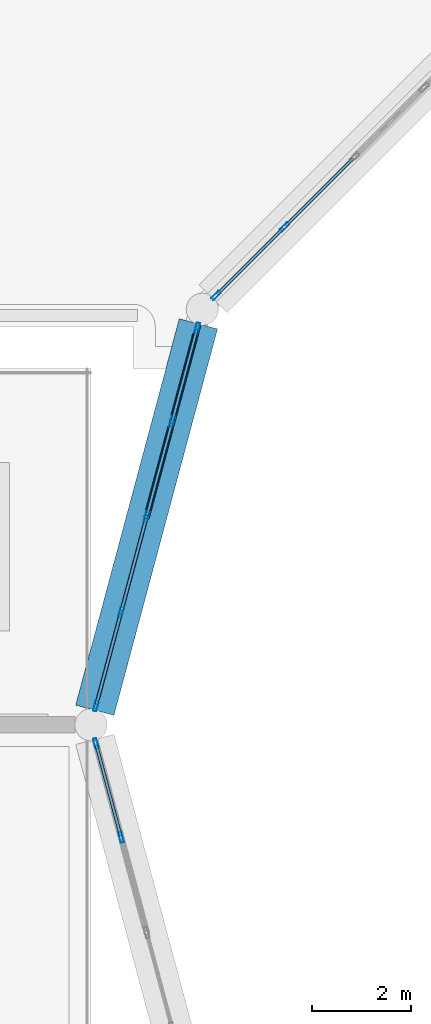
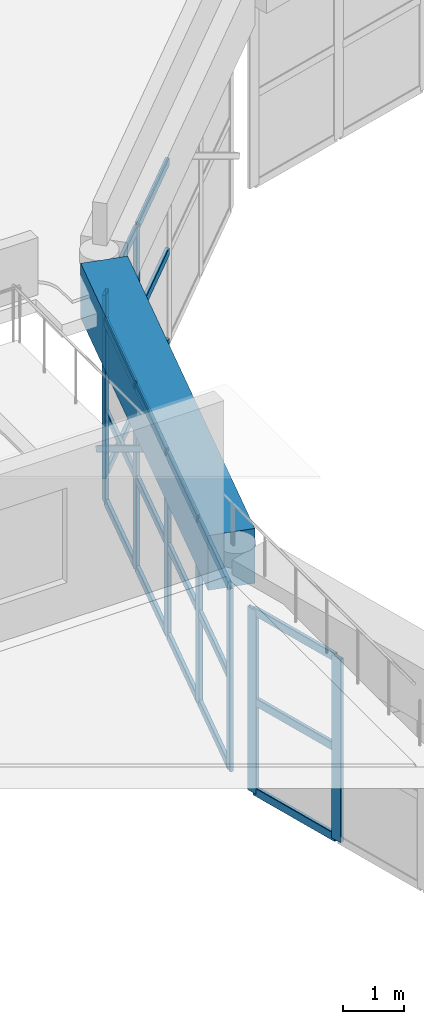
# One storey, part 17 of 48: 31 members, 1 beam, 3 elements without a shape of their own.
"""IFC4 building model written with IfcOpenShell, lengths in metres."""

from ifc_helpers import new_model, si_unit, derived_unit, direction, frame, origin, origin_2d, place, context, subcontext, project, spatial, rectangle, hollow_rectangle, extrude, material, material_profile, profile_set, type_object, element, aggregate, save


model = new_model("IFC4")

# Units and contexts
model_context = context("Model", 3, precision=1e-05, world=origin(), true_north=direction((0.0, 1.0)))
body_context = subcontext(model_context, "Body", "Model", "MODEL_VIEW")
ifc_project = project(units=[si_unit("LENGTHUNIT", "METRE"), si_unit("AREAUNIT", "SQUARE_METRE"), si_unit("VOLUMEUNIT", "CUBIC_METRE"), si_unit("PLANEANGLEUNIT", "RADIAN"), si_unit("MASSUNIT", "GRAM", prefix="KILO"), derived_unit("THERMALTRANSMITTANCEUNIT", [(si_unit("POWERUNIT", "WATT"), 1), (si_unit("LENGTHUNIT", "METRE"), -2), (si_unit("THERMODYNAMICTEMPERATUREUNIT", "KELVIN"), -1)])], contexts=[model_context])

# Site, building, storey
site_placement = place(None, origin())
site = spatial("IfcSite", under=ifc_project, at=site_placement, CompositionType="ELEMENT")
building_placement = place(site_placement, origin())
building = spatial("IfcBuilding", under=site, at=building_placement, Name="Veybourne Emporium", CompositionType="ELEMENT")
storey_placement = place(building_placement, frame((0.0, 0.0, 27.89990234375)))
storey = spatial("IfcBuildingStorey", under=building, at=storey_placement, Name="L06", CompositionType="ELEMENT", Elevation=27.89990234375)

# Curtain wall, members
ifc_material_1 = material(Name="Patinated Architectural Bronze", Category="bronze")
curtain_wall_type_1 = type_object("IfcCurtainWallType", Name="CWSystem_CWS-25", PredefinedType="NOTDEFINED", material=ifc_material_1)
curtain_wall_1_placement = place(storey_placement, origin())
curtain_wall_1 = element("IfcCurtainWall", 1, at=curtain_wall_1_placement, inside=storey, type_object=curtain_wall_type_1, Name="Atrium drum clerestory curtain wall 05", PredefinedType="NOTDEFINED")
ifc_material_profile_1 = material_profile(ifc_material_1, hollow_rectangle(XDim=0.070068359375, YDim=0.219970703125, WallThickness=0.0048828125, InnerFilletRadius=0.007568359375, OuterFilletRadius=0.012451171875, at=origin_2d()), Name="CWM 70x220x5")
ifc_profile_set_1 = profile_set([ifc_material_profile_1], Name="Patinated Architectural Bronze")
member_type_1 = type_object("IfcMemberType", Name="CWMullion_CW-M4", PredefinedType="MULLION", material=ifc_profile_set_1)
member_1_placement = place(storey_placement, frame((62.71533203125, 60.464599609375, -4.5), z_axis=(0.0, 0.0, 1.0), x_axis=(0.707106781187, -0.707106781187, 0.0)))
member_1 = element("IfcMember", 2, at=member_1_placement, type_object=member_type_1, Name="CWS-25 mullion 4", PredefinedType="MULLION", context=body_context, shape_type="SweptSolid", body=[
    extrude(hollow_rectangle(XDim=0.070068359375, YDim=0.219970703125, WallThickness=0.0048828125, InnerFilletRadius=0.007568359375, OuterFilletRadius=0.012451171875, at=origin_2d()), origin(), (0.0, 0.0, 1.0), 3.68017578125),
])
member_2_placement = place(storey_placement, frame((61.330078125, 59.079345703125, -4.5), z_axis=(0.0, 0.0, 1.0), x_axis=(0.707106781187, -0.707106781187, 0.0)))
member_2 = element("IfcMember", 3, at=member_2_placement, type_object=member_type_1, Name="CWS-25 mullion 5", PredefinedType="MULLION", context=body_context, shape_type="SweptSolid", body=[
    extrude(hollow_rectangle(XDim=0.070068359375, YDim=0.219970703125, WallThickness=0.0048828125, InnerFilletRadius=0.007568359375, OuterFilletRadius=0.012451171875, at=origin_2d()), origin(), (0.0, 0.0, 1.0), 3.68017578125),
])

curtain_wall_type_2 = type_object("IfcCurtainWallType", Name="CWSystem_CWS-26", PredefinedType="NOTDEFINED", material=ifc_material_1)
curtain_wall_2_placement = place(storey_placement, origin())
curtain_wall_2 = element("IfcCurtainWall", 4, at=curtain_wall_2_placement, inside=storey, type_object=curtain_wall_type_2, Name="Atrium drum clerestory curtain wall 06", PredefinedType="NOTDEFINED")
member_3_placement = place(storey_placement, frame((60.948486328125, 58.41845703125, -4.5), z_axis=(0.0, 0.0, 1.0), x_axis=(0.965925678069, -0.258819598266, 0.0)))
member_3 = element("IfcMember", 5, at=member_3_placement, type_object=member_type_1, Name="CWS-26 mullion 1", PredefinedType="MULLION", context=body_context, shape_type="SweptSolid", body=[
    extrude(hollow_rectangle(XDim=0.070068359375, YDim=0.219970703125, WallThickness=0.0048828125, InnerFilletRadius=0.007568359375, OuterFilletRadius=0.012451171875, at=origin_2d()), origin(), (0.0, 0.0, 1.0), 3.68017578125),
])
member_4_placement = place(storey_placement, frame((60.44140625, 56.526123046875, -4.5), z_axis=(0.0, 0.0, 1.0), x_axis=(0.965925678069, -0.258819598266, 0.0)))
member_4 = element("IfcMember", 6, at=member_4_placement, type_object=member_type_1, Name="CWS-26 mullion 2", PredefinedType="MULLION", context=body_context, shape_type="SweptSolid", body=[
    extrude(hollow_rectangle(XDim=0.070068359375, YDim=0.219970703125, WallThickness=0.0048828125, InnerFilletRadius=0.007568359375, OuterFilletRadius=0.012451171875, at=origin_2d()), origin(), (0.0, 0.0, 1.0), 3.68017578125),
])
member_5_placement = place(storey_placement, frame((59.92529296875, 54.60009765625, -4.5), z_axis=(0.0, 0.0, 1.0), x_axis=(0.965925678069, -0.258819598266, 0.0)))
member_5 = element("IfcMember", 7, at=member_5_placement, type_object=member_type_1, Name="CWS-26 mullion 3", PredefinedType="MULLION", context=body_context, shape_type="SweptSolid", body=[
    extrude(hollow_rectangle(XDim=0.070068359375, YDim=0.219970703125, WallThickness=0.0048828125, InnerFilletRadius=0.007568359375, OuterFilletRadius=0.012451171875, at=origin_2d()), origin(), (0.0, 0.0, 1.0), 3.68017578125),
])
member_6_placement = place(storey_placement, frame((59.4091796875, 52.673828125, -4.5), z_axis=(0.0, 0.0, 1.0), x_axis=(0.965925678069, -0.258819598266, 0.0)))
member_6 = element("IfcMember", 8, at=member_6_placement, type_object=member_type_1, Name="CWS-26 mullion 4", PredefinedType="MULLION", context=body_context, shape_type="SweptSolid", body=[
    extrude(hollow_rectangle(XDim=0.070068359375, YDim=0.219970703125, WallThickness=0.0048828125, InnerFilletRadius=0.007568359375, OuterFilletRadius=0.012451171875, at=origin_2d()), origin(), (0.0, 0.0, 1.0), 3.68017578125),
])
member_7_placement = place(storey_placement, frame((58.90234375, 50.781494140625, -4.5), z_axis=(0.0, 0.0, 1.0), x_axis=(0.965925678069, -0.258819598266, 0.0)))
member_7 = element("IfcMember", 9, at=member_7_placement, type_object=member_type_1, Name="CWS-26 mullion 5", PredefinedType="MULLION", context=body_context, shape_type="SweptSolid", body=[
    extrude(hollow_rectangle(XDim=0.070068359375, YDim=0.219970703125, WallThickness=0.0048828125, InnerFilletRadius=0.007568359375, OuterFilletRadius=0.012451171875, at=origin_2d()), origin(), (0.0, 0.0, 1.0), 3.68017578125),
])

curtain_wall_type_3 = type_object("IfcCurtainWallType", Name="CWSystem_CWS-27", PredefinedType="NOTDEFINED", material=ifc_material_1)
curtain_wall_3_placement = place(storey_placement, origin())
curtain_wall_3 = element("IfcCurtainWall", 10, at=curtain_wall_3_placement, inside=storey, type_object=curtain_wall_type_3, Name="Atrium drum clerestory curtain wall 07", PredefinedType="NOTDEFINED")
member_8_placement = place(storey_placement, frame((58.90234375, 50.0185546875, -4.5), z_axis=(0.0, 0.0, 1.0), x_axis=(0.965925678069, 0.258819598266, 0.0)))
member_8 = element("IfcMember", 11, at=member_8_placement, type_object=member_type_1, Name="CWS-27 mullion 1", PredefinedType="MULLION", context=body_context, shape_type="SweptSolid", body=[
    extrude(hollow_rectangle(XDim=0.070068359375, YDim=0.219970703125, WallThickness=0.0048828125, InnerFilletRadius=0.007568359375, OuterFilletRadius=0.012451171875, at=origin_2d()), origin(), (0.0, 0.0, 1.0), 3.68017578125),
])
member_9_placement = place(storey_placement, frame((59.4091796875, 48.126220703125, -4.5), z_axis=(0.0, 0.0, 1.0), x_axis=(0.965925678069, 0.258819598266, 0.0)))
member_9 = element("IfcMember", 12, at=member_9_placement, type_object=member_type_1, Name="CWS-27 mullion 2", PredefinedType="MULLION", context=body_context, shape_type="SweptSolid", body=[
    extrude(hollow_rectangle(XDim=0.070068359375, YDim=0.219970703125, WallThickness=0.0048828125, InnerFilletRadius=0.007568359375, OuterFilletRadius=0.012451171875, at=origin_2d()), origin(), (0.0, 0.0, 1.0), 3.68017578125),
])

# Member
ifc_material_profile_2 = material_profile(ifc_material_1, hollow_rectangle(XDim=0.070068359375, YDim=0.169921875, WallThickness=0.0048828125, InnerFilletRadius=0.007568359375, OuterFilletRadius=0.012451171875, at=origin_2d()), Name="CWT 70x170x5")
ifc_profile_set_2 = profile_set([ifc_material_profile_2], Name="Patinated Architectural Bronze")
member_type_2 = type_object("IfcMemberType", Name="CWTransom_CW-T4", PredefinedType="NOTDEFINED", material=ifc_profile_set_2)
member_10_placement = place(storey_placement, frame((64.1005859375, 61.849853515625, -4.46484375), z_axis=(-0.707106781187, -0.707106781187, 0.0), x_axis=(0.707106781187, -0.707106781187, 0.0)))
member_10 = element("IfcMember", 13, at=member_10_placement, type_object=member_type_2, Name="CWS-25 transom 3.1", ObjectType="TRANSOM", PredefinedType="USERDEFINED", context=body_context, shape_type="SweptSolid", body=[
    extrude(hollow_rectangle(XDim=0.070068359375, YDim=0.169921875, WallThickness=0.0048828125, InnerFilletRadius=0.007568359375, OuterFilletRadius=0.012451171875, at=origin_2d()), origin(), (0.0, 0.0, 1.0), 1.924072265625),
])

member_11_placement = place(storey_placement, frame((64.1005859375, 61.849853515625, -2.659912109375), z_axis=(-0.707106781187, -0.707106781187, 0.0), x_axis=(0.707106781187, -0.707106781187, 0.0)))
member_11 = element("IfcMember", 14, at=member_11_placement, type_object=member_type_2, Name="CWS-25 transom 3.2", ObjectType="TRANSOM", PredefinedType="USERDEFINED", context=body_context, shape_type="SweptSolid", body=[
    extrude(hollow_rectangle(XDim=0.070068359375, YDim=0.169921875, WallThickness=0.0048828125, InnerFilletRadius=0.007568359375, OuterFilletRadius=0.012451171875, at=origin_2d()), origin(), (0.0, 0.0, 1.0), 1.924072265625),
])

member_12_placement = place(storey_placement, frame((64.1005859375, 61.849853515625, -0.85498046875), z_axis=(-0.707106781187, -0.707106781187, 0.0), x_axis=(0.707106781187, -0.707106781187, 0.0)))
member_12 = element("IfcMember", 15, at=member_12_placement, type_object=member_type_2, Name="CWS-25 transom 3.3", ObjectType="TRANSOM", PredefinedType="USERDEFINED", context=body_context, shape_type="SweptSolid", body=[
    extrude(hollow_rectangle(XDim=0.070068359375, YDim=0.169921875, WallThickness=0.0048828125, InnerFilletRadius=0.007568359375, OuterFilletRadius=0.012451171875, at=origin_2d()), origin(), (0.0, 0.0, 1.0), 1.924072265625),
])

member_13_placement = place(storey_placement, frame((62.690673828125, 60.43994140625, -4.46484375), z_axis=(-0.707106781187, -0.707106781187, 0.0), x_axis=(0.707106781187, -0.707106781187, 0.0)))
member_13 = element("IfcMember", 16, at=member_13_placement, type_object=member_type_2, Name="CWS-25 transom 4.1", ObjectType="TRANSOM", PredefinedType="USERDEFINED", context=body_context, shape_type="SweptSolid", body=[
    extrude(hollow_rectangle(XDim=0.070068359375, YDim=0.169921875, WallThickness=0.0048828125, InnerFilletRadius=0.007568359375, OuterFilletRadius=0.012451171875, at=origin_2d()), origin(), (0.0, 0.0, 1.0), 1.889404296875),
])

member_14_placement = place(storey_placement, frame((62.690673828125, 60.43994140625, -2.659912109375), z_axis=(-0.707106781187, -0.707106781187, 0.0), x_axis=(0.707106781187, -0.707106781187, 0.0)))
member_14 = element("IfcMember", 17, at=member_14_placement, type_object=member_type_2, Name="CWS-25 transom 4.2", ObjectType="TRANSOM", PredefinedType="USERDEFINED", context=body_context, shape_type="SweptSolid", body=[
    extrude(hollow_rectangle(XDim=0.070068359375, YDim=0.169921875, WallThickness=0.0048828125, InnerFilletRadius=0.007568359375, OuterFilletRadius=0.012451171875, at=origin_2d()), origin(), (0.0, 0.0, 1.0), 1.889404296875),
])

member_15_placement = place(storey_placement, frame((62.690673828125, 60.43994140625, -0.85498046875), z_axis=(-0.707106781187, -0.707106781187, 0.0), x_axis=(0.707106781187, -0.707106781187, 0.0)))
member_15 = element("IfcMember", 18, at=member_15_placement, type_object=member_type_2, Name="CWS-25 transom 4.3", ObjectType="TRANSOM", PredefinedType="USERDEFINED", context=body_context, shape_type="SweptSolid", body=[
    extrude(hollow_rectangle(XDim=0.070068359375, YDim=0.169921875, WallThickness=0.0048828125, InnerFilletRadius=0.007568359375, OuterFilletRadius=0.012451171875, at=origin_2d()), origin(), (0.0, 0.0, 1.0), 1.889404296875),
])

aggregate(curtain_wall_1, [member_1, member_2, member_10, member_11, member_12, member_13, member_14, member_15])

member_16_placement = place(storey_placement, frame((60.939453125, 58.384765625, -4.46484375), z_axis=(-0.258860974636, -0.965914590329, 0.0), x_axis=(0.965914590329, -0.258860974636, 0.0)))
member_16 = element("IfcMember", 19, at=member_16_placement, type_object=member_type_2, Name="CWS-26 transom 1.1", ObjectType="TRANSOM", PredefinedType="USERDEFINED", context=body_context, shape_type="SweptSolid", body=[
    extrude(hollow_rectangle(XDim=0.070068359375, YDim=0.169921875, WallThickness=0.0048828125, InnerFilletRadius=0.007568359375, OuterFilletRadius=0.012451171875, at=origin_2d()), origin(), (0.0, 0.0, 1.0), 1.88916015625),
])

member_17_placement = place(storey_placement, frame((60.939453125, 58.384765625, -2.659912109375), z_axis=(-0.258860974636, -0.965914590329, 0.0), x_axis=(0.965914590329, -0.258860974636, 0.0)))
member_17 = element("IfcMember", 20, at=member_17_placement, type_object=member_type_2, Name="CWS-26 transom 1.2", ObjectType="TRANSOM", PredefinedType="USERDEFINED", context=body_context, shape_type="SweptSolid", body=[
    extrude(hollow_rectangle(XDim=0.070068359375, YDim=0.169921875, WallThickness=0.0048828125, InnerFilletRadius=0.007568359375, OuterFilletRadius=0.012451171875, at=origin_2d()), origin(), (0.0, 0.0, 1.0), 1.88916015625),
])

member_18_placement = place(storey_placement, frame((60.939453125, 58.384765625, -0.85498046875), z_axis=(-0.258860974636, -0.965914590329, 0.0), x_axis=(0.965914590329, -0.258860974636, 0.0)))
member_18 = element("IfcMember", 21, at=member_18_placement, type_object=member_type_2, Name="CWS-26 transom 1.3", ObjectType="TRANSOM", PredefinedType="USERDEFINED", context=body_context, shape_type="SweptSolid", body=[
    extrude(hollow_rectangle(XDim=0.070068359375, YDim=0.169921875, WallThickness=0.0048828125, InnerFilletRadius=0.007568359375, OuterFilletRadius=0.012451171875, at=origin_2d()), origin(), (0.0, 0.0, 1.0), 1.88916015625),
])

member_19_placement = place(storey_placement, frame((60.432373046875, 56.492431640625, -4.46484375), z_axis=(-0.258831214191, -0.965922565509, 0.0), x_axis=(0.965922565509, -0.258831214191, 0.0)))
member_19 = element("IfcMember", 22, at=member_19_placement, type_object=member_type_2, Name="CWS-26 transom 2.1", ObjectType="TRANSOM", PredefinedType="USERDEFINED", context=body_context, shape_type="SweptSolid", body=[
    extrude(hollow_rectangle(XDim=0.070068359375, YDim=0.169921875, WallThickness=0.0048828125, InnerFilletRadius=0.007568359375, OuterFilletRadius=0.012451171875, at=origin_2d()), origin(), (0.0, 0.0, 1.0), 1.92431640625),
])

member_20_placement = place(storey_placement, frame((60.432373046875, 56.492431640625, -2.659912109375), z_axis=(-0.258831214191, -0.965922565509, 0.0), x_axis=(0.965922565509, -0.258831214191, 0.0)))
member_20 = element("IfcMember", 23, at=member_20_placement, type_object=member_type_2, Name="CWS-26 transom 2.2", ObjectType="TRANSOM", PredefinedType="USERDEFINED", context=body_context, shape_type="SweptSolid", body=[
    extrude(hollow_rectangle(XDim=0.070068359375, YDim=0.169921875, WallThickness=0.0048828125, InnerFilletRadius=0.007568359375, OuterFilletRadius=0.012451171875, at=origin_2d()), origin(), (0.0, 0.0, 1.0), 1.92431640625),
])

member_21_placement = place(storey_placement, frame((60.432373046875, 56.492431640625, -0.85498046875), z_axis=(-0.258831214191, -0.965922565509, 0.0), x_axis=(0.965922565509, -0.258831214191, 0.0)))
member_21 = element("IfcMember", 24, at=member_21_placement, type_object=member_type_2, Name="CWS-26 transom 2.3", ObjectType="TRANSOM", PredefinedType="USERDEFINED", context=body_context, shape_type="SweptSolid", body=[
    extrude(hollow_rectangle(XDim=0.070068359375, YDim=0.169921875, WallThickness=0.0048828125, InnerFilletRadius=0.007568359375, OuterFilletRadius=0.012451171875, at=origin_2d()), origin(), (0.0, 0.0, 1.0), 1.92431640625),
])

member_22_placement = place(storey_placement, frame((59.916259765625, 54.566162109375, -4.46484375), z_axis=(-0.258744542548, -0.965945786109, 0.0), x_axis=(0.965945786109, -0.258744542548, 0.0)))
member_22 = element("IfcMember", 25, at=member_22_placement, type_object=member_type_2, Name="CWS-26 transom 3.1", ObjectType="TRANSOM", PredefinedType="USERDEFINED", context=body_context, shape_type="SweptSolid", body=[
    extrude(hollow_rectangle(XDim=0.070068359375, YDim=0.169921875, WallThickness=0.0048828125, InnerFilletRadius=0.007568359375, OuterFilletRadius=0.012451171875, at=origin_2d()), origin(), (0.0, 0.0, 1.0), 1.923828125),
])

member_23_placement = place(storey_placement, frame((59.916259765625, 54.566162109375, -2.659912109375), z_axis=(-0.258744542548, -0.965945786109, 0.0), x_axis=(0.965945786109, -0.258744542548, 0.0)))
member_23 = element("IfcMember", 26, at=member_23_placement, type_object=member_type_2, Name="CWS-26 transom 3.2", ObjectType="TRANSOM", PredefinedType="USERDEFINED", context=body_context, shape_type="SweptSolid", body=[
    extrude(hollow_rectangle(XDim=0.070068359375, YDim=0.169921875, WallThickness=0.0048828125, InnerFilletRadius=0.007568359375, OuterFilletRadius=0.012451171875, at=origin_2d()), origin(), (0.0, 0.0, 1.0), 1.923828125),
])

member_24_placement = place(storey_placement, frame((59.916259765625, 54.566162109375, -0.85498046875), z_axis=(-0.258744542548, -0.965945786109, 0.0), x_axis=(0.965945786109, -0.258744542548, 0.0)))
member_24 = element("IfcMember", 27, at=member_24_placement, type_object=member_type_2, Name="CWS-26 transom 3.3", ObjectType="TRANSOM", PredefinedType="USERDEFINED", context=body_context, shape_type="SweptSolid", body=[
    extrude(hollow_rectangle(XDim=0.070068359375, YDim=0.169921875, WallThickness=0.0048828125, InnerFilletRadius=0.007568359375, OuterFilletRadius=0.012451171875, at=origin_2d()), origin(), (0.0, 0.0, 1.0), 1.923828125),
])

member_25_placement = place(storey_placement, frame((59.400146484375, 52.64013671875, -4.46484375), z_axis=(-0.258740391972, -0.9659468979, 0.0), x_axis=(0.9659468979, -0.258740391972, 0.0)))
member_25 = element("IfcMember", 28, at=member_25_placement, type_object=member_type_2, Name="CWS-26 transom 4.1", ObjectType="TRANSOM", PredefinedType="USERDEFINED", context=body_context, shape_type="SweptSolid", body=[
    extrude(hollow_rectangle(XDim=0.070068359375, YDim=0.169921875, WallThickness=0.0048828125, InnerFilletRadius=0.007568359375, OuterFilletRadius=0.012451171875, at=origin_2d()), origin(), (0.0, 0.0, 1.0), 1.888916015625),
])

member_26_placement = place(storey_placement, frame((59.400146484375, 52.64013671875, -2.659912109375), z_axis=(-0.258740391972, -0.9659468979, 0.0), x_axis=(0.9659468979, -0.258740391972, 0.0)))
member_26 = element("IfcMember", 29, at=member_26_placement, type_object=member_type_2, Name="CWS-26 transom 4.2", ObjectType="TRANSOM", PredefinedType="USERDEFINED", context=body_context, shape_type="SweptSolid", body=[
    extrude(hollow_rectangle(XDim=0.070068359375, YDim=0.169921875, WallThickness=0.0048828125, InnerFilletRadius=0.007568359375, OuterFilletRadius=0.012451171875, at=origin_2d()), origin(), (0.0, 0.0, 1.0), 1.888916015625),
])

member_27_placement = place(storey_placement, frame((59.400146484375, 52.64013671875, -0.85498046875), z_axis=(-0.258740391972, -0.9659468979, 0.0), x_axis=(0.9659468979, -0.258740391972, 0.0)))
member_27 = element("IfcMember", 30, at=member_27_placement, type_object=member_type_2, Name="CWS-26 transom 4.3", ObjectType="TRANSOM", PredefinedType="USERDEFINED", context=body_context, shape_type="SweptSolid", body=[
    extrude(hollow_rectangle(XDim=0.070068359375, YDim=0.169921875, WallThickness=0.0048828125, InnerFilletRadius=0.007568359375, OuterFilletRadius=0.012451171875, at=origin_2d()), origin(), (0.0, 0.0, 1.0), 1.888916015625),
])

aggregate(curtain_wall_2, [member_3, member_4, member_5, member_6, member_7, member_16, member_17, member_18, member_19, member_20, member_21, member_22, member_23, member_24, member_25, member_26, member_27])

member_28_placement = place(storey_placement, frame((58.911376953125, 49.984619140625, -4.46484375), z_axis=(0.258740391972, -0.9659468979, 0.0), x_axis=(0.9659468979, 0.258740391972, 0.0)))
member_28 = element("IfcMember", 31, at=member_28_placement, type_object=member_type_2, Name="CWS-27 transom 1.1", ObjectType="TRANSOM", PredefinedType="USERDEFINED", context=body_context, shape_type="SweptSolid", body=[
    extrude(hollow_rectangle(XDim=0.070068359375, YDim=0.169921875, WallThickness=0.0048828125, InnerFilletRadius=0.007568359375, OuterFilletRadius=0.012451171875, at=origin_2d()), origin(), (0.0, 0.0, 1.0), 1.888916015625),
])

member_29_placement = place(storey_placement, frame((58.911376953125, 49.984619140625, -2.659912109375), z_axis=(0.258740391972, -0.9659468979, 0.0), x_axis=(0.9659468979, 0.258740391972, 0.0)))
member_29 = element("IfcMember", 32, at=member_29_placement, type_object=member_type_2, Name="CWS-27 transom 1.2", ObjectType="TRANSOM", PredefinedType="USERDEFINED", context=body_context, shape_type="SweptSolid", body=[
    extrude(hollow_rectangle(XDim=0.070068359375, YDim=0.169921875, WallThickness=0.0048828125, InnerFilletRadius=0.007568359375, OuterFilletRadius=0.012451171875, at=origin_2d()), origin(), (0.0, 0.0, 1.0), 1.888916015625),
])

member_30_placement = place(storey_placement, frame((58.911376953125, 49.984619140625, -0.85498046875), z_axis=(0.258740391972, -0.9659468979, 0.0), x_axis=(0.9659468979, 0.258740391972, 0.0)))
member_30 = element("IfcMember", 33, at=member_30_placement, type_object=member_type_2, Name="CWS-27 transom 1.3", ObjectType="TRANSOM", PredefinedType="USERDEFINED", context=body_context, shape_type="SweptSolid", body=[
    extrude(hollow_rectangle(XDim=0.070068359375, YDim=0.169921875, WallThickness=0.0048828125, InnerFilletRadius=0.007568359375, OuterFilletRadius=0.012451171875, at=origin_2d()), origin(), (0.0, 0.0, 1.0), 1.888916015625),
])

aggregate(curtain_wall_3, [member_8, member_9, member_28, member_29, member_30])

# Beam
ifc_material_2 = material(Name="Concrete C40/50", Category="concrete")
ifc_material_profile_3 = material_profile(ifc_material_2, rectangle(XDim=0.800048828125, YDim=1.10009765625, at=origin_2d()), Name="RC 800x1100")
ifc_profile_set_3 = profile_set([ifc_material_profile_3], Name="Concrete C40/50")
beam_type = type_object("IfcBeamType", Name="RCBeam_RB-01", PredefinedType="BEAM", material=ifc_profile_set_3)
beam_placement = place(storey_placement, frame((60.971923828125, 58.50537109375, -0.25), z_axis=(-0.258833171555, -0.965922041007, 0.0), x_axis=(0.965922041007, -0.258833171555, 0.0)))
element("IfcBeam", 34, at=beam_placement, inside=storey, type_object=beam_type, Name="Atrium ring beam RB-01 L06-06", PredefinedType="BEAM", context=body_context, shape_type="SweptSolid", body=[
    extrude(rectangle(XDim=0.800048828125, YDim=1.10009765625, at=origin_2d()), origin(), (0.0, 0.0, 1.0), 8.08642578125),
])

# Member
ifc_material_3 = material(Name="Steel S355", Category="steel")
ifc_material_profile_4 = material_profile(ifc_material_3, hollow_rectangle(XDim=0.1201171875, YDim=0.1201171875, WallThickness=0.00634765625, InnerFilletRadius=0.009521484375, OuterFilletRadius=0.015869140625, at=origin_2d()), Name="SHS 120x120x6.3")
ifc_profile_set_4 = profile_set([ifc_material_profile_4], Name="Steel S355")
member_type_3 = type_object("IfcMemberType", Name="SteelMem_CS-02", PredefinedType="STRUT", material=ifc_profile_set_4)
member_31_placement = place(storey_placement, frame((61.05078125, 58.800048828125, -3.699951171875), z_axis=(-0.214199952413, -0.799323596826, 0.561426903473), x_axis=(0.965919227952, -0.258843669177, 0.0)))
element("IfcMember", 35, at=member_31_placement, inside=storey, type_object=member_type_3, Name="Drum clerestory diagonal strut 06", PredefinedType="STRUT", context=body_context, shape_type="SweptSolid", body=[
    extrude(hollow_rectangle(XDim=0.1201171875, YDim=0.1201171875, WallThickness=0.00634765625, InnerFilletRadius=0.009521484375, OuterFilletRadius=0.015869140625, at=origin_2d()), origin(), (0.0, 0.0, 1.0), 5.25439453125),
])

save(model, "model.ifc")
